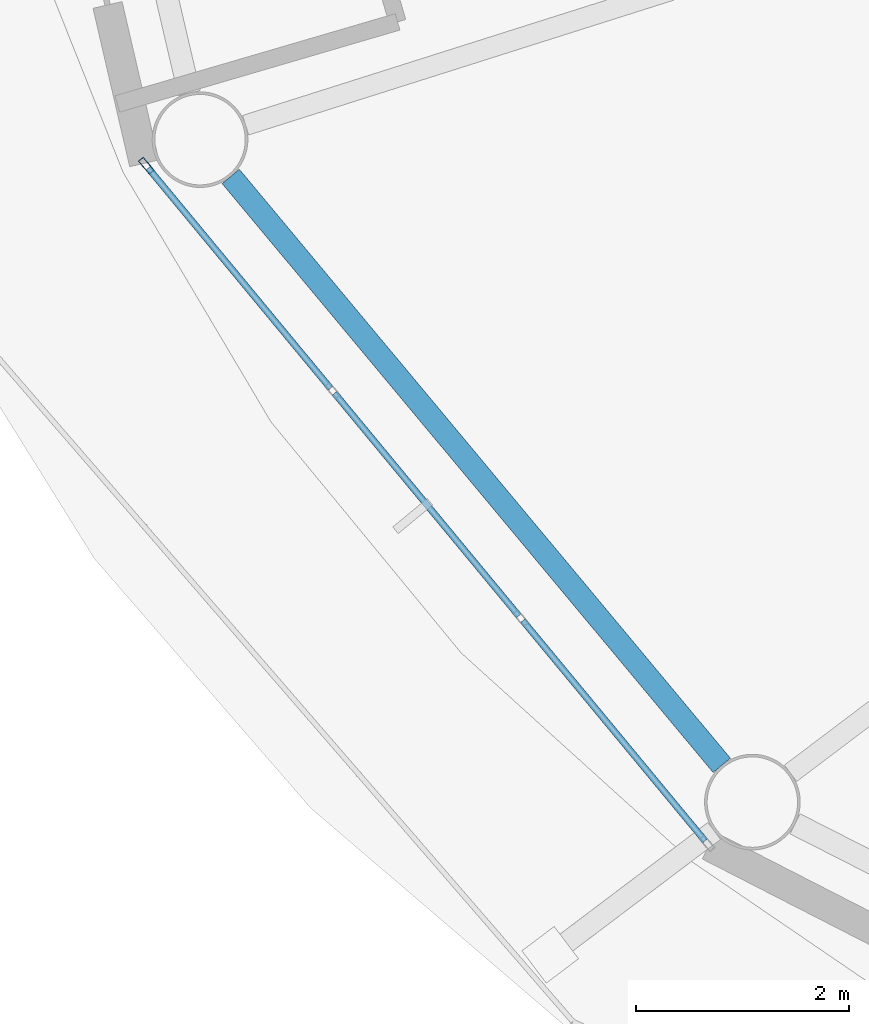
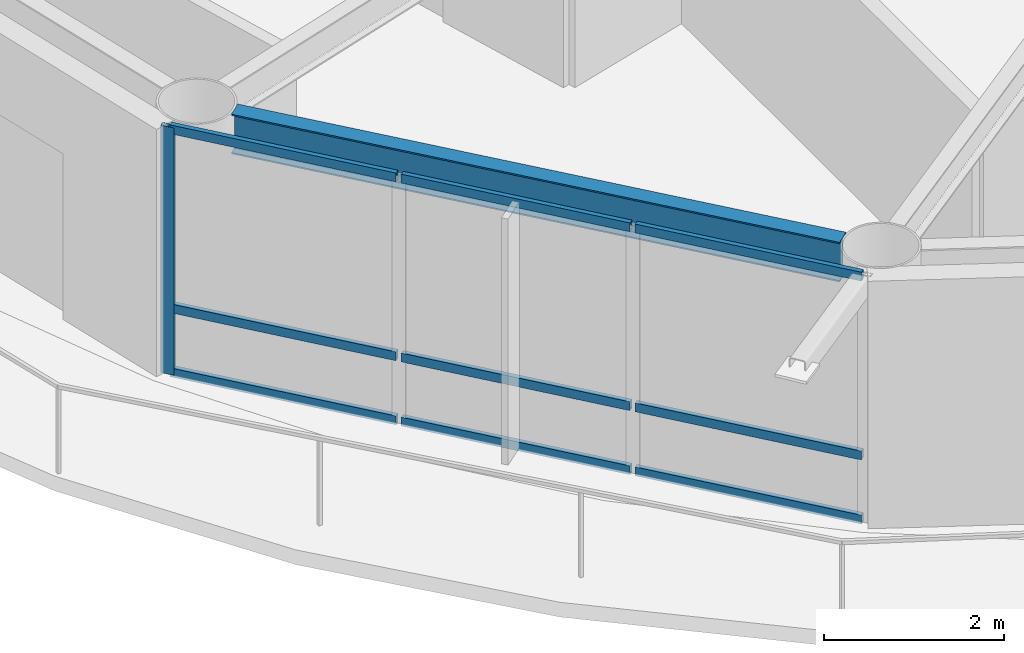
# One storey, part 3 of 23: 10 members, 1 beam, 1 element without a shape of its own.
"""IFC4 building model written with IfcOpenShell, lengths in metres."""

from ifc_helpers import new_model, si_unit, direction, frame, origin, origin_2d, place, context, subcontext, project, spatial, hollow_rectangle, i_section, extrude, material, layer, layer_set, material_profile, profile_set, type_object, element, aggregate, save


model = new_model("IFC4")

# Units and contexts
model_context = context("Model", 3, precision=1e-05, world=origin(), true_north=direction((0.0, 1.0)))
body_context = subcontext(model_context, "Body", "Model", "MODEL_VIEW")
ifc_project = project(units=[si_unit("LENGTHUNIT", "METRE"), si_unit("AREAUNIT", "SQUARE_METRE"), si_unit("VOLUMEUNIT", "CUBIC_METRE"), si_unit("PLANEANGLEUNIT", "RADIAN"), si_unit("MASSUNIT", "GRAM", prefix="KILO")], contexts=[model_context])

# Site, building, storey
site_placement = place(None, origin())
site = spatial("IfcSite", under=ifc_project, at=site_placement, CompositionType="ELEMENT")
building_placement = place(site_placement, origin())
building = spatial("IfcBuilding", under=site, at=building_placement, Name="Sarneth Arch Tower", CompositionType="ELEMENT")
storey_placement = place(building_placement, frame((0.0, 0.0, 228.0)))
storey = spatial("IfcBuildingStorey", under=building, at=storey_placement, Name="L58", CompositionType="ELEMENT", Elevation=228.0)

# Beam
ifc_material_1 = material(Name="Steel S355", Category="steel")
ifc_material_profile_1 = material_profile(ifc_material_1, i_section(OverallWidth=0.2109375, OverallDepth=0.5390625, WebThickness=0.01171875, FlangeThickness=0.018798828125, FilletRadius=0.01806640625, at=origin_2d()), Name="W530x109")
ifc_profile_set_1 = profile_set([ifc_material_profile_1], Name="Steel S355")
beam_type = type_object("IfcBeamType", Name="BM-RAD-530B", PredefinedType="BEAM", material=ifc_profile_set_1)
beam_placement = place(storey_placement, frame((25.119384765625, 34.306884765625, 3.090576171875), z_axis=(0.640390876881, -0.768049168222, 0.0), x_axis=(0.768049168222, 0.640390876881, 0.0)))
element("IfcBeam", 1, at=beam_placement, inside=storey, type_object=beam_type, Name="L58 Perimeter spandrel beam 10", PredefinedType="BEAM", context=body_context, shape_type="SweptSolid", body=[
    extrude(i_section(OverallWidth=0.2109375, OverallDepth=0.5390625, WebThickness=0.01171875, FlangeThickness=0.018798828125, FilletRadius=0.01806640625, at=origin_2d()), origin(), (0.0, 0.0, 1.0), 7.2099609375),
])

# Curtain wall, members
ifc_material_2 = material(Name="Anodised aluminium Type AA25 and solar-control low-e laminated IGU", Category="aluminium")
ifc_layer = layer(ifc_material_2, 0.179931640625)
ifc_layer_set = layer_set([ifc_layer], Name="Anodised aluminium Type AA25 and solar-control low-e laminated IGU")
curtain_wall_type = type_object("IfcCurtainWallType", Name="CW-RES-HIGH", PredefinedType="NOTDEFINED", material=ifc_layer_set)
curtain_wall_placement = place(storey_placement, origin())
curtain_wall = element("IfcCurtainWall", 2, at=curtain_wall_placement, inside=storey, type_object=curtain_wall_type, Name="L58 Unitised curtain wall facet 10", PredefinedType="NOTDEFINED")
ifc_material_3 = material(Name="Anodised Aluminium 6063-T6", Category="aluminium")
ifc_material_profile_2 = material_profile(ifc_material_3, hollow_rectangle(XDim=0.06005859375, YDim=0.159912109375, WallThickness=0.00390625, at=origin_2d()), Name="AL-MULL-160x60x4")
ifc_profile_set_2 = profile_set([ifc_material_profile_2], Name="Anodised Aluminium 6063-T6")
member_type_1 = type_object("IfcMemberType", Name="CW-MULLION", PredefinedType="MULLION", material=ifc_profile_set_2)
member_1_placement = place(storey_placement, frame((24.325439453125, 34.407470703125, 0.0), z_axis=(0.0, 0.0, 1.0), x_axis=(0.770359245933, 0.637610094184, 0.0)))
member_1 = element("IfcMember", 3, at=member_1_placement, type_object=member_type_1, Name="CW-SYS-6 mullion 1", PredefinedType="MULLION", context=body_context, shape_type="SweptSolid", body=[
    extrude(hollow_rectangle(XDim=0.06005859375, YDim=0.159912109375, WallThickness=0.00390625, at=origin_2d()), origin(), (0.0, 0.0, 1.0), 3.360107421875),
])
ifc_material_4 = material(Name="Anodised Aluminium 6063-T6", Category="aluminium")
ifc_material_profile_3 = material_profile(ifc_material_4, hollow_rectangle(XDim=0.06005859375, YDim=0.1201171875, WallThickness=0.00390625, at=origin_2d()), Name="AL-TRAN-120x60x4")
ifc_profile_set_3 = profile_set([ifc_material_profile_3], Name="Anodised Aluminium 6063-T6")
member_type_2 = type_object("IfcMemberType", Name="CW-TRANSOM", PredefinedType="USERDEFINED", material=ifc_profile_set_3)
member_2_placement = place(storey_placement, frame((24.344482421875, 34.38427734375, 0.030029296875), z_axis=(0.637651400067, -0.770325056059, 0.0), x_axis=(0.770325056059, 0.637651400067, 0.0)))
member_2 = element("IfcMember", 4, at=member_2_placement, type_object=member_type_2, Name="CW-SYS-6 transom 1.1", ObjectType="TRANSOM", PredefinedType="USERDEFINED", context=body_context, shape_type="SweptSolid", body=[
    extrude(hollow_rectangle(XDim=0.06005859375, YDim=0.1201171875, WallThickness=0.00390625, at=origin_2d()), origin(), (0.0, 0.0, 1.0), 2.6865234375),
])
member_3_placement = place(storey_placement, frame((24.344482421875, 34.38427734375, 0.89990234375), z_axis=(0.637651400067, -0.770325056059, 0.0), x_axis=(0.770325056059, 0.637651400067, 0.0)))
member_3 = element("IfcMember", 5, at=member_3_placement, type_object=member_type_2, Name="CW-SYS-6 transom 1.2", ObjectType="TRANSOM", PredefinedType="USERDEFINED", context=body_context, shape_type="SweptSolid", body=[
    extrude(hollow_rectangle(XDim=0.06005859375, YDim=0.1201171875, WallThickness=0.00390625, at=origin_2d()), origin(), (0.0, 0.0, 1.0), 2.6865234375),
])
member_4_placement = place(storey_placement, frame((24.344482421875, 34.38427734375, 3.330078125), z_axis=(0.637651400067, -0.770325056059, 0.0), x_axis=(0.770325056059, 0.637651400067, 0.0)))
member_4 = element("IfcMember", 6, at=member_4_placement, type_object=member_type_2, Name="CW-SYS-6 transom 1.3", ObjectType="TRANSOM", PredefinedType="USERDEFINED", context=body_context, shape_type="SweptSolid", body=[
    extrude(hollow_rectangle(XDim=0.06005859375, YDim=0.1201171875, WallThickness=0.00390625, at=origin_2d()), origin(), (0.0, 0.0, 1.0), 2.6865234375),
])
member_5_placement = place(storey_placement, frame((26.095703125, 32.268310546875, 0.030029296875), z_axis=(0.637617371902, -0.770353222261, 0.0), x_axis=(0.770353222261, 0.637617371902, 0.0)))
member_5 = element("IfcMember", 7, at=member_5_placement, type_object=member_type_2, Name="CW-SYS-6 transom 2.1", ObjectType="TRANSOM", PredefinedType="USERDEFINED", context=body_context, shape_type="SweptSolid", body=[
    extrude(hollow_rectangle(XDim=0.06005859375, YDim=0.1201171875, WallThickness=0.00390625, at=origin_2d()), origin(), (0.0, 0.0, 1.0), 2.716552734375),
])
member_6_placement = place(storey_placement, frame((26.095703125, 32.268310546875, 0.89990234375), z_axis=(0.637617371902, -0.770353222261, 0.0), x_axis=(0.770353222261, 0.637617371902, 0.0)))
member_6 = element("IfcMember", 8, at=member_6_placement, type_object=member_type_2, Name="CW-SYS-6 transom 2.2", ObjectType="TRANSOM", PredefinedType="USERDEFINED", context=body_context, shape_type="SweptSolid", body=[
    extrude(hollow_rectangle(XDim=0.06005859375, YDim=0.1201171875, WallThickness=0.00390625, at=origin_2d()), origin(), (0.0, 0.0, 1.0), 2.716552734375),
])
member_7_placement = place(storey_placement, frame((26.095703125, 32.268310546875, 3.330078125), z_axis=(0.637617371902, -0.770353222261, 0.0), x_axis=(0.770353222261, 0.637617371902, 0.0)))
member_7 = element("IfcMember", 9, at=member_7_placement, type_object=member_type_2, Name="CW-SYS-6 transom 2.3", ObjectType="TRANSOM", PredefinedType="USERDEFINED", context=body_context, shape_type="SweptSolid", body=[
    extrude(hollow_rectangle(XDim=0.06005859375, YDim=0.1201171875, WallThickness=0.00390625, at=origin_2d()), origin(), (0.0, 0.0, 1.0), 2.716552734375),
])
member_8_placement = place(storey_placement, frame((27.8662109375, 30.12939453125, 0.030029296875), z_axis=(0.637606765719, -0.770362000821, 0.0), x_axis=(0.770362000821, 0.637606765719, 0.0)))
member_8 = element("IfcMember", 10, at=member_8_placement, type_object=member_type_2, Name="CW-SYS-6 transom 3.1", ObjectType="TRANSOM", PredefinedType="USERDEFINED", context=body_context, shape_type="SweptSolid", body=[
    extrude(hollow_rectangle(XDim=0.06005859375, YDim=0.1201171875, WallThickness=0.00390625, at=origin_2d()), origin(), (0.0, 0.0, 1.0), 2.686767578125),
])
member_9_placement = place(storey_placement, frame((27.8662109375, 30.12939453125, 0.89990234375), z_axis=(0.637606765719, -0.770362000821, 0.0), x_axis=(0.770362000821, 0.637606765719, 0.0)))
member_9 = element("IfcMember", 11, at=member_9_placement, type_object=member_type_2, Name="CW-SYS-6 transom 3.2", ObjectType="TRANSOM", PredefinedType="USERDEFINED", context=body_context, shape_type="SweptSolid", body=[
    extrude(hollow_rectangle(XDim=0.06005859375, YDim=0.1201171875, WallThickness=0.00390625, at=origin_2d()), origin(), (0.0, 0.0, 1.0), 2.686767578125),
])
member_10_placement = place(storey_placement, frame((27.8662109375, 30.12939453125, 3.330078125), z_axis=(0.637606765719, -0.770362000821, 0.0), x_axis=(0.770362000821, 0.637606765719, 0.0)))
member_10 = element("IfcMember", 12, at=member_10_placement, type_object=member_type_2, Name="CW-SYS-6 transom 3.3", ObjectType="TRANSOM", PredefinedType="USERDEFINED", context=body_context, shape_type="SweptSolid", body=[
    extrude(hollow_rectangle(XDim=0.06005859375, YDim=0.1201171875, WallThickness=0.00390625, at=origin_2d()), origin(), (0.0, 0.0, 1.0), 2.686767578125),
])
aggregate(curtain_wall, [member_1, member_2, member_3, member_4, member_5, member_6, member_7, member_8, member_9, member_10])

save(model, "model.ifc")
